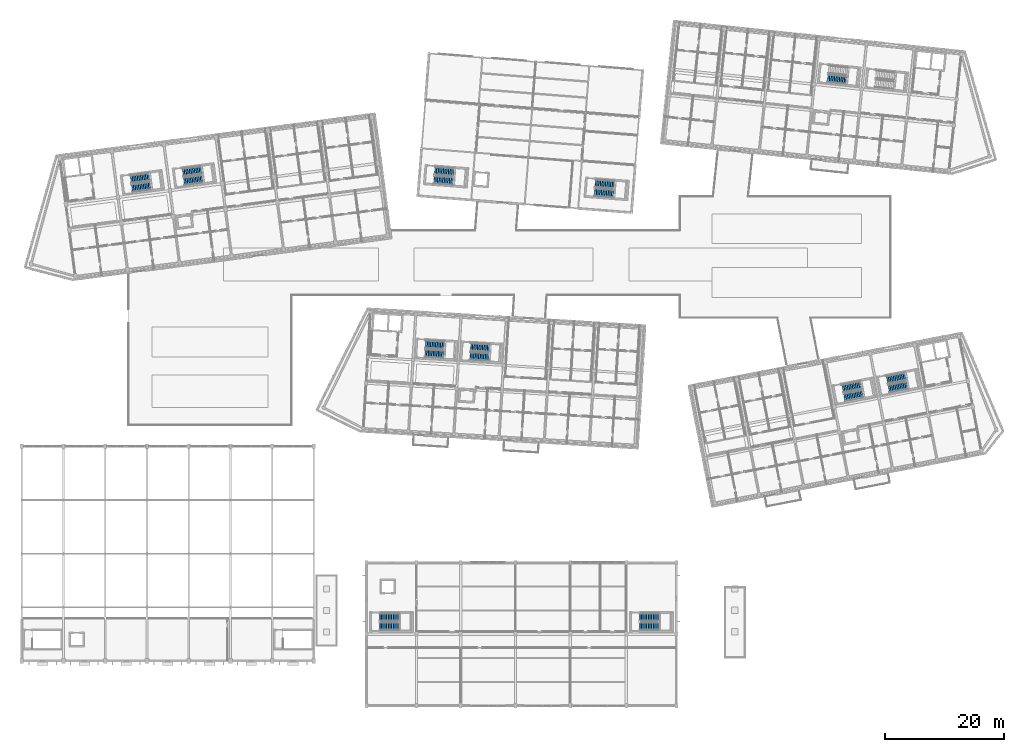
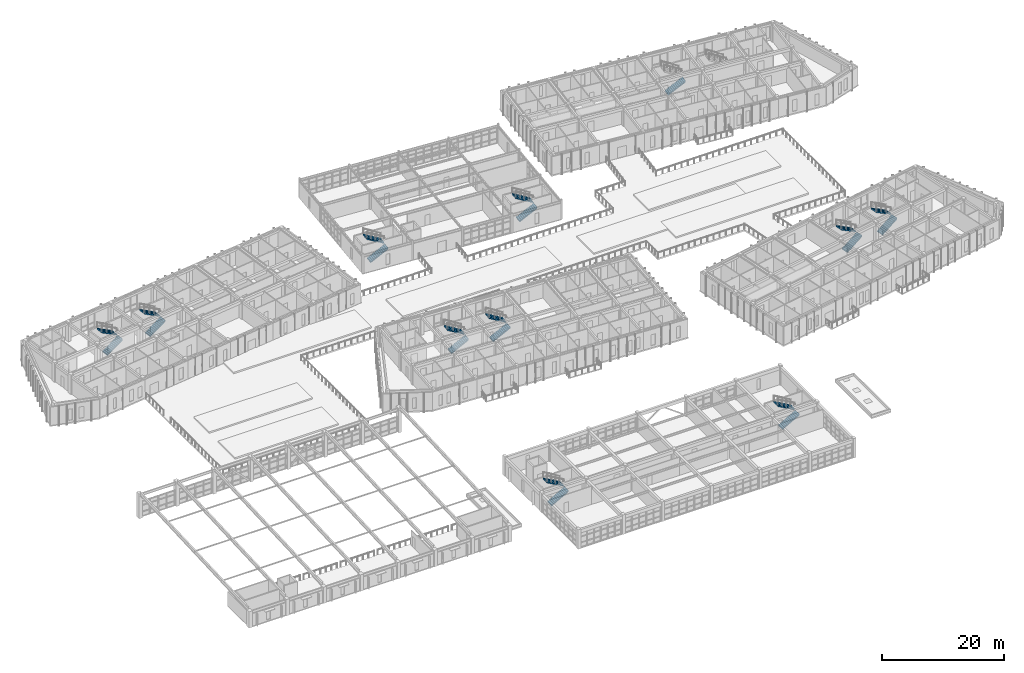
# One storey, part 106 of 150: 21 stair flights, 11 elements without a shape of their own.
"""IFC4 building model written with IfcOpenShell, lengths in metres."""

from ifc_helpers import new_model, si_unit, direction, frame, origin, place, context, subcontext, project, spatial, polyline, outline, extrude, material, type_object, element, aggregate, save


model = new_model("IFC4")

# Units and contexts
model_context = context("Model", 3, precision=1e-05, world=origin(), true_north=direction((0.0, 1.0)))
body_context = subcontext(model_context, "Body", "Model", "MODEL_VIEW")
ifc_project = project(units=[si_unit("LENGTHUNIT", "METRE"), si_unit("AREAUNIT", "SQUARE_METRE"), si_unit("VOLUMEUNIT", "CUBIC_METRE"), si_unit("PLANEANGLEUNIT", "RADIAN"), si_unit("MASSUNIT", "GRAM", prefix="KILO")], contexts=[model_context])

# Site, building, storey
site_placement = place(None, origin())
site = spatial("IfcSite", under=ifc_project, at=site_placement, CompositionType="ELEMENT")
building_placement = place(site_placement, origin())
building = spatial("IfcBuilding", under=site, at=building_placement, Name="Kestramere Prow Commons", CompositionType="ELEMENT")
storey_placement = place(building_placement, frame((0.0, 0.0, 4.5)))
storey = spatial("IfcBuildingStorey", under=building, at=storey_placement, Name="L01", CompositionType="ELEMENT", Elevation=4.5)

# Stair, stair flights
ifc_material = material(Name="Concrete C40/50", Category="concrete")
stair_type = type_object("IfcStairType", Name="ST-DOG-1350", PredefinedType="HALF_TURN_STAIR", material=ifc_material)
stair_1_placement = place(storey_placement, origin())
stair_1 = element("IfcStair", 1, at=stair_1_placement, inside=storey, type_object=stair_type, Name="L01 Block A Exit Stair 1", PredefinedType="HALF_TURN_STAIR")
stair_flight_type = type_object("IfcStairFlightType", Name="SFL-1350", PredefinedType="STRAIGHT", material=ifc_material)
stair_flight_1_placement = place(storey_placement, frame((20.70068359375, 86.79150390625, 0.0), z_axis=(0.0, 0.0, 1.0), x_axis=(0.991444861374, 0.13052619222, 0.0)))
stair_flight_1 = element("IfcStairFlight", 2, at=stair_flight_1_placement, type_object=stair_flight_type, Name="ST-A1 flight 1", NumberOfRisers=12, NumberOfTreads=11, PredefinedType="STRAIGHT", RiserHeight=0.1625, TreadLength=0.28, context=body_context, shape_type="SweptSolid", body=[
    extrude(outline(polyline([(-0.02490234375, 0.0), (0.0, 0.0), (0.0, 0.16259765625), (0.280029296875, 0.16259765625), (0.280029296875, 0.324951171875), (0.56005859375, 0.324951171875), (0.56005859375, 0.487548828125), (0.840087890625, 0.487548828125), (0.840087890625, 0.64990234375), (1.1201171875, 0.64990234375), (1.1201171875, 0.8125), (1.39990234375, 0.8125), (1.39990234375, 0.97509765625), (1.679931640625, 0.97509765625), (1.679931640625, 1.137451171875), (1.9599609375, 1.137451171875), (1.9599609375, 1.300048828125), (2.239990234375, 1.300048828125), (2.239990234375, 1.46240234375), (2.52001953125, 1.46240234375), (2.52001953125, 1.625), (2.800048828125, 1.625), (2.800048828125, 1.78759765625), (3.080078125, 1.78759765625), (3.080078125, 1.949951171875), (3.10498046875, 1.949951171875), (3.10498046875, 1.6142578125), (0.0, -0.14990234375), (-0.02490234375, -0.14990234375), (-0.02490234375, 0.0)])), frame((0.0, 0.675048828125, 0.0), z_axis=(0.0, -1.0, 0.0), x_axis=(1.0, 0.0, 0.0)), (0.0, 0.0, 1.0), 1.35009765625),
])
stair_flight_2_placement = place(storey_placement, frame((23.558349609375, 88.680908203125, 1.949951171875), z_axis=(0.0, 0.0, 1.0), x_axis=(-0.991444861374, -0.13052619222, 0.0)))
stair_flight_2 = element("IfcStairFlight", 3, at=stair_flight_2_placement, type_object=stair_flight_type, Name="ST-A1 flight 2", NumberOfRisers=12, NumberOfTreads=11, PredefinedType="STRAIGHT", RiserHeight=0.1625, TreadLength=0.28, context=body_context, shape_type="SweptSolid", body=[
    extrude(outline(polyline([(-0.02490234375, 0.0), (0.0, 0.0), (0.0, 0.16259765625), (0.280029296875, 0.16259765625), (0.280029296875, 0.324951171875), (0.56005859375, 0.324951171875), (0.56005859375, 0.487548828125), (0.840087890625, 0.487548828125), (0.840087890625, 0.64990234375), (1.1201171875, 0.64990234375), (1.1201171875, 0.8125), (1.39990234375, 0.8125), (1.39990234375, 0.97509765625), (1.679931640625, 0.97509765625), (1.679931640625, 1.137451171875), (1.9599609375, 1.137451171875), (1.9599609375, 1.300048828125), (2.239990234375, 1.300048828125), (2.239990234375, 1.46240234375), (2.52001953125, 1.46240234375), (2.52001953125, 1.625), (2.800048828125, 1.625), (2.800048828125, 1.78759765625), (3.080078125, 1.78759765625), (3.080078125, 1.949951171875), (3.10498046875, 1.949951171875), (3.10498046875, 1.6142578125), (0.0, -0.14990234375), (-0.02490234375, -0.14990234375), (-0.02490234375, 0.0)])), frame((0.0, 0.675048828125, 0.0), z_axis=(0.0, -1.0, 0.0), x_axis=(1.0, 0.0, 0.0)), (0.0, 0.0, 1.0), 1.35009765625),
])
aggregate(stair_1, [stair_flight_1, stair_flight_2])

stair_2_placement = place(storey_placement, origin())
stair_2 = element("IfcStair", 4, at=stair_2_placement, inside=storey, type_object=stair_type, Name="L01 Block A Exit Stair 2", PredefinedType="HALF_TURN_STAIR")
stair_flight_3_placement = place(storey_placement, frame((29.42529296875, 87.940185546875, 0.0), z_axis=(0.0, 0.0, 1.0), x_axis=(0.991444861374, 0.13052619222, 0.0)))
stair_flight_3 = element("IfcStairFlight", 5, at=stair_flight_3_placement, type_object=stair_flight_type, Name="ST-A2 flight 1", NumberOfRisers=12, NumberOfTreads=11, PredefinedType="STRAIGHT", RiserHeight=0.1625, TreadLength=0.28, context=body_context, shape_type="SweptSolid", body=[
    extrude(outline(polyline([(-0.02490234375, 0.0), (0.0, 0.0), (0.0, 0.16259765625), (0.280029296875, 0.16259765625), (0.280029296875, 0.324951171875), (0.56005859375, 0.324951171875), (0.56005859375, 0.487548828125), (0.840087890625, 0.487548828125), (0.840087890625, 0.64990234375), (1.1201171875, 0.64990234375), (1.1201171875, 0.8125), (1.39990234375, 0.8125), (1.39990234375, 0.97509765625), (1.679931640625, 0.97509765625), (1.679931640625, 1.137451171875), (1.9599609375, 1.137451171875), (1.9599609375, 1.300048828125), (2.239990234375, 1.300048828125), (2.239990234375, 1.46240234375), (2.52001953125, 1.46240234375), (2.52001953125, 1.625), (2.800048828125, 1.625), (2.800048828125, 1.78759765625), (3.080078125, 1.78759765625), (3.080078125, 1.949951171875), (3.10498046875, 1.949951171875), (3.10498046875, 1.6142578125), (0.0, -0.14990234375), (-0.02490234375, -0.14990234375), (-0.02490234375, 0.0)])), frame((0.0, 0.675048828125, 0.0), z_axis=(0.0, -1.0, 0.0), x_axis=(1.0, 0.0, 0.0)), (0.0, 0.0, 1.0), 1.35009765625),
])
stair_flight_4_placement = place(storey_placement, frame((32.283203125, 89.829345703125, 1.949951171875), z_axis=(0.0, 0.0, 1.0), x_axis=(-0.991444861374, -0.13052619222, 0.0)))
stair_flight_4 = element("IfcStairFlight", 6, at=stair_flight_4_placement, type_object=stair_flight_type, Name="ST-A2 flight 2", NumberOfRisers=12, NumberOfTreads=11, PredefinedType="STRAIGHT", RiserHeight=0.1625, TreadLength=0.28, context=body_context, shape_type="SweptSolid", body=[
    extrude(outline(polyline([(-0.02490234375, 0.0), (0.0, 0.0), (0.0, 0.16259765625), (0.280029296875, 0.16259765625), (0.280029296875, 0.324951171875), (0.56005859375, 0.324951171875), (0.56005859375, 0.487548828125), (0.840087890625, 0.487548828125), (0.840087890625, 0.64990234375), (1.1201171875, 0.64990234375), (1.1201171875, 0.8125), (1.39990234375, 0.8125), (1.39990234375, 0.97509765625), (1.679931640625, 0.97509765625), (1.679931640625, 1.137451171875), (1.9599609375, 1.137451171875), (1.9599609375, 1.300048828125), (2.239990234375, 1.300048828125), (2.239990234375, 1.46240234375), (2.52001953125, 1.46240234375), (2.52001953125, 1.625), (2.800048828125, 1.625), (2.800048828125, 1.78759765625), (3.080078125, 1.78759765625), (3.080078125, 1.949951171875), (3.10498046875, 1.949951171875), (3.10498046875, 1.6142578125), (0.0, -0.14990234375), (-0.02490234375, -0.14990234375), (-0.02490234375, 0.0)])), frame((0.0, 0.675048828125, 0.0), z_axis=(0.0, -1.0, 0.0), x_axis=(1.0, 0.0, 0.0)), (0.0, 0.0, 1.0), 1.35009765625),
])
aggregate(stair_2, [stair_flight_3, stair_flight_4])

# Stair, stair flight
stair_3_placement = place(storey_placement, origin())
stair_3 = element("IfcStair", 7, at=stair_3_placement, inside=storey, type_object=stair_type, Name="L01 Block B Exit Stair 1", PredefinedType="HALF_TURN_STAIR")
stair_flight_5_placement = place(storey_placement, frame((137.38916015625, 105.21923828125, 0.0), z_axis=(0.0, 0.0, 1.0), x_axis=(0.994521895368, -0.104528463268, 0.0)))
stair_flight_5 = element("IfcStairFlight", 8, at=stair_flight_5_placement, type_object=stair_flight_type, Name="ST-B1 flight 1", NumberOfRisers=12, NumberOfTreads=11, PredefinedType="STRAIGHT", RiserHeight=0.1625, TreadLength=0.28, context=body_context, shape_type="SweptSolid", body=[
    extrude(outline(polyline([(-0.02490234375, 0.0), (0.0, 0.0), (0.0, 0.16259765625), (0.280029296875, 0.16259765625), (0.280029296875, 0.324951171875), (0.56005859375, 0.324951171875), (0.56005859375, 0.487548828125), (0.840087890625, 0.487548828125), (0.840087890625, 0.64990234375), (1.1201171875, 0.64990234375), (1.1201171875, 0.8125), (1.39990234375, 0.8125), (1.39990234375, 0.97509765625), (1.679931640625, 0.97509765625), (1.679931640625, 1.137451171875), (1.9599609375, 1.137451171875), (1.9599609375, 1.300048828125), (2.239990234375, 1.300048828125), (2.239990234375, 1.46240234375), (2.52001953125, 1.46240234375), (2.52001953125, 1.625), (2.800048828125, 1.625), (2.800048828125, 1.78759765625), (3.080078125, 1.78759765625), (3.080078125, 1.949951171875), (3.10498046875, 1.949951171875), (3.10498046875, 1.6142578125), (0.0, -0.14990234375), (-0.02490234375, -0.14990234375), (-0.02490234375, 0.0)])), frame((0.0, 0.675048828125, 0.0), z_axis=(0.0, -1.0, 0.0), x_axis=(1.0, 0.0, 0.0)), (0.0, 0.0, 1.0), 1.35009765625),
])
aggregate(stair_3, [stair_flight_5])

# Stair, stair flights
stair_4_placement = place(storey_placement, origin())
stair_4 = element("IfcStair", 9, at=stair_4_placement, inside=storey, type_object=stair_type, Name="L01 Block C Exit Stair 1", PredefinedType="HALF_TURN_STAIR")
stair_flight_6_placement = place(storey_placement, frame((69.839599609375, 59.117431640625, 0.0), z_axis=(0.0, 0.0, 1.0), x_axis=(0.998134798422, -0.061048539535, 0.0)))
stair_flight_6 = element("IfcStairFlight", 10, at=stair_flight_6_placement, type_object=stair_flight_type, Name="ST-C1 flight 1", NumberOfRisers=12, NumberOfTreads=11, PredefinedType="STRAIGHT", RiserHeight=0.1625, TreadLength=0.28, context=body_context, shape_type="SweptSolid", body=[
    extrude(outline(polyline([(-0.02490234375, 0.0), (0.0, 0.0), (0.0, 0.16259765625), (0.280029296875, 0.16259765625), (0.280029296875, 0.324951171875), (0.56005859375, 0.324951171875), (0.56005859375, 0.487548828125), (0.840087890625, 0.487548828125), (0.840087890625, 0.64990234375), (1.1201171875, 0.64990234375), (1.1201171875, 0.8125), (1.39990234375, 0.8125), (1.39990234375, 0.97509765625), (1.679931640625, 0.97509765625), (1.679931640625, 1.137451171875), (1.9599609375, 1.137451171875), (1.9599609375, 1.300048828125), (2.239990234375, 1.300048828125), (2.239990234375, 1.46240234375), (2.52001953125, 1.46240234375), (2.52001953125, 1.625), (2.800048828125, 1.625), (2.800048828125, 1.78759765625), (3.080078125, 1.78759765625), (3.080078125, 1.949951171875), (3.10498046875, 1.949951171875), (3.10498046875, 1.6142578125), (0.0, -0.14990234375), (-0.02490234375, -0.14990234375), (-0.02490234375, 0.0)])), frame((0.0, 0.675048828125, 0.0), z_axis=(0.0, -1.0, 0.0), x_axis=(1.0, 0.0, 0.0)), (0.0, 0.0, 1.0), 1.35009765625),
])
stair_flight_7_placement = place(storey_placement, frame((73.00537109375, 60.426513671875, 1.949951171875), z_axis=(0.0, 0.0, 1.0), x_axis=(-0.998134798422, 0.061048539535, 0.0)))
stair_flight_7 = element("IfcStairFlight", 11, at=stair_flight_7_placement, type_object=stair_flight_type, Name="ST-C1 flight 2", NumberOfRisers=12, NumberOfTreads=11, PredefinedType="STRAIGHT", RiserHeight=0.1625, TreadLength=0.28, context=body_context, shape_type="SweptSolid", body=[
    extrude(outline(polyline([(-0.02490234375, 0.0), (0.0, 0.0), (0.0, 0.16259765625), (0.280029296875, 0.16259765625), (0.280029296875, 0.324951171875), (0.56005859375, 0.324951171875), (0.56005859375, 0.487548828125), (0.840087890625, 0.487548828125), (0.840087890625, 0.64990234375), (1.1201171875, 0.64990234375), (1.1201171875, 0.8125), (1.39990234375, 0.8125), (1.39990234375, 0.97509765625), (1.679931640625, 0.97509765625), (1.679931640625, 1.137451171875), (1.9599609375, 1.137451171875), (1.9599609375, 1.300048828125), (2.239990234375, 1.300048828125), (2.239990234375, 1.46240234375), (2.52001953125, 1.46240234375), (2.52001953125, 1.625), (2.800048828125, 1.625), (2.800048828125, 1.78759765625), (3.080078125, 1.78759765625), (3.080078125, 1.949951171875), (3.10498046875, 1.949951171875), (3.10498046875, 1.6142578125), (0.0, -0.14990234375), (-0.02490234375, -0.14990234375), (-0.02490234375, 0.0)])), frame((0.0, 0.675048828125, 0.0), z_axis=(0.0, -1.0, 0.0), x_axis=(1.0, 0.0, 0.0)), (0.0, 0.0, 1.0), 1.35009765625),
])
aggregate(stair_4, [stair_flight_6, stair_flight_7])

stair_5_placement = place(storey_placement, origin())
stair_5 = element("IfcStair", 12, at=stair_5_placement, inside=storey, type_object=stair_type, Name="L01 Block C Exit Stair 2", PredefinedType="HALF_TURN_STAIR")
stair_flight_8_placement = place(storey_placement, frame((77.42529296875, 58.6533203125, 0.0), z_axis=(0.0, 0.0, 1.0), x_axis=(0.998134798422, -0.061048539535, 0.0)))
stair_flight_8 = element("IfcStairFlight", 13, at=stair_flight_8_placement, type_object=stair_flight_type, Name="ST-C2 flight 1", NumberOfRisers=12, NumberOfTreads=11, PredefinedType="STRAIGHT", RiserHeight=0.1625, TreadLength=0.28, context=body_context, shape_type="SweptSolid", body=[
    extrude(outline(polyline([(-0.02490234375, 0.0), (0.0, 0.0), (0.0, 0.16259765625), (0.280029296875, 0.16259765625), (0.280029296875, 0.324951171875), (0.56005859375, 0.324951171875), (0.56005859375, 0.487548828125), (0.840087890625, 0.487548828125), (0.840087890625, 0.64990234375), (1.1201171875, 0.64990234375), (1.1201171875, 0.8125), (1.39990234375, 0.8125), (1.39990234375, 0.97509765625), (1.679931640625, 0.97509765625), (1.679931640625, 1.137451171875), (1.9599609375, 1.137451171875), (1.9599609375, 1.300048828125), (2.239990234375, 1.300048828125), (2.239990234375, 1.46240234375), (2.52001953125, 1.46240234375), (2.52001953125, 1.625), (2.800048828125, 1.625), (2.800048828125, 1.78759765625), (3.080078125, 1.78759765625), (3.080078125, 1.949951171875), (3.10498046875, 1.949951171875), (3.10498046875, 1.6142578125), (0.0, -0.14990234375), (-0.02490234375, -0.14990234375), (-0.02490234375, 0.0)])), frame((0.0, 0.675048828125, 0.0), z_axis=(0.0, -1.0, 0.0), x_axis=(1.0, 0.0, 0.0)), (0.0, 0.0, 1.0), 1.35009765625),
])
stair_flight_9_placement = place(storey_placement, frame((80.59130859375, 59.96240234375, 1.949951171875), z_axis=(0.0, 0.0, 1.0), x_axis=(-0.998134798422, 0.061048539535, 0.0)))
stair_flight_9 = element("IfcStairFlight", 14, at=stair_flight_9_placement, type_object=stair_flight_type, Name="ST-C2 flight 2", NumberOfRisers=12, NumberOfTreads=11, PredefinedType="STRAIGHT", RiserHeight=0.1625, TreadLength=0.28, context=body_context, shape_type="SweptSolid", body=[
    extrude(outline(polyline([(-0.02490234375, 0.0), (0.0, 0.0), (0.0, 0.16259765625), (0.280029296875, 0.16259765625), (0.280029296875, 0.324951171875), (0.56005859375, 0.324951171875), (0.56005859375, 0.487548828125), (0.840087890625, 0.487548828125), (0.840087890625, 0.64990234375), (1.1201171875, 0.64990234375), (1.1201171875, 0.8125), (1.39990234375, 0.8125), (1.39990234375, 0.97509765625), (1.679931640625, 0.97509765625), (1.679931640625, 1.137451171875), (1.9599609375, 1.137451171875), (1.9599609375, 1.300048828125), (2.239990234375, 1.300048828125), (2.239990234375, 1.46240234375), (2.52001953125, 1.46240234375), (2.52001953125, 1.625), (2.800048828125, 1.625), (2.800048828125, 1.78759765625), (3.080078125, 1.78759765625), (3.080078125, 1.949951171875), (3.10498046875, 1.949951171875), (3.10498046875, 1.6142578125), (0.0, -0.14990234375), (-0.02490234375, -0.14990234375), (-0.02490234375, 0.0)])), frame((0.0, 0.675048828125, 0.0), z_axis=(0.0, -1.0, 0.0), x_axis=(1.0, 0.0, 0.0)), (0.0, 0.0, 1.0), 1.35009765625),
])
aggregate(stair_5, [stair_flight_8, stair_flight_9])

stair_6_placement = place(storey_placement, origin())
stair_6 = element("IfcStair", 15, at=stair_6_placement, inside=storey, type_object=stair_type, Name="L01 Block D Exit Stair 1", PredefinedType="HALF_TURN_STAIR")
stair_flight_10_placement = place(storey_placement, frame((140.171875, 51.70458984375, 0.0), z_axis=(0.0, 0.0, 1.0), x_axis=(0.981627183448, 0.190808995377, 0.0)))
stair_flight_10 = element("IfcStairFlight", 16, at=stair_flight_10_placement, type_object=stair_flight_type, Name="ST-D1 flight 1", NumberOfRisers=12, NumberOfTreads=11, PredefinedType="STRAIGHT", RiserHeight=0.1625, TreadLength=0.28, context=body_context, shape_type="SweptSolid", body=[
    extrude(outline(polyline([(-0.02490234375, 0.0), (0.0, 0.0), (0.0, 0.16259765625), (0.280029296875, 0.16259765625), (0.280029296875, 0.324951171875), (0.56005859375, 0.324951171875), (0.56005859375, 0.487548828125), (0.840087890625, 0.487548828125), (0.840087890625, 0.64990234375), (1.1201171875, 0.64990234375), (1.1201171875, 0.8125), (1.39990234375, 0.8125), (1.39990234375, 0.97509765625), (1.679931640625, 0.97509765625), (1.679931640625, 1.137451171875), (1.9599609375, 1.137451171875), (1.9599609375, 1.300048828125), (2.239990234375, 1.300048828125), (2.239990234375, 1.46240234375), (2.52001953125, 1.46240234375), (2.52001953125, 1.625), (2.800048828125, 1.625), (2.800048828125, 1.78759765625), (3.080078125, 1.78759765625), (3.080078125, 1.949951171875), (3.10498046875, 1.949951171875), (3.10498046875, 1.6142578125), (0.0, -0.14990234375), (-0.02490234375, -0.14990234375), (-0.02490234375, 0.0)])), frame((0.0, 0.675048828125, 0.0), z_axis=(0.0, -1.0, 0.0), x_axis=(1.0, 0.0, 0.0)), (0.0, 0.0, 1.0), 1.35009765625),
])
stair_flight_11_placement = place(storey_placement, frame((142.908935546875, 53.7646484375, 1.949951171875), z_axis=(0.0, 0.0, 1.0), x_axis=(-0.981627183448, -0.190808995377, 0.0)))
stair_flight_11 = element("IfcStairFlight", 17, at=stair_flight_11_placement, type_object=stair_flight_type, Name="ST-D1 flight 2", NumberOfRisers=12, NumberOfTreads=11, PredefinedType="STRAIGHT", RiserHeight=0.1625, TreadLength=0.28, context=body_context, shape_type="SweptSolid", body=[
    extrude(outline(polyline([(-0.02490234375, 0.0), (0.0, 0.0), (0.0, 0.16259765625), (0.280029296875, 0.16259765625), (0.280029296875, 0.324951171875), (0.56005859375, 0.324951171875), (0.56005859375, 0.487548828125), (0.840087890625, 0.487548828125), (0.840087890625, 0.64990234375), (1.1201171875, 0.64990234375), (1.1201171875, 0.8125), (1.39990234375, 0.8125), (1.39990234375, 0.97509765625), (1.679931640625, 0.97509765625), (1.679931640625, 1.137451171875), (1.9599609375, 1.137451171875), (1.9599609375, 1.300048828125), (2.239990234375, 1.300048828125), (2.239990234375, 1.46240234375), (2.52001953125, 1.46240234375), (2.52001953125, 1.625), (2.800048828125, 1.625), (2.800048828125, 1.78759765625), (3.080078125, 1.78759765625), (3.080078125, 1.949951171875), (3.10498046875, 1.949951171875), (3.10498046875, 1.6142578125), (0.0, -0.14990234375), (-0.02490234375, -0.14990234375), (-0.02490234375, 0.0)])), frame((0.0, 0.675048828125, 0.0), z_axis=(0.0, -1.0, 0.0), x_axis=(1.0, 0.0, 0.0)), (0.0, 0.0, 1.0), 1.35009765625),
])
aggregate(stair_6, [stair_flight_10, stair_flight_11])

stair_7_placement = place(storey_placement, origin())
stair_7 = element("IfcStair", 18, at=stair_7_placement, inside=storey, type_object=stair_type, Name="L01 Block D Exit Stair 2", PredefinedType="HALF_TURN_STAIR")
stair_flight_12_placement = place(storey_placement, frame((147.632080078125, 53.15478515625, 0.0), z_axis=(0.0, 0.0, 1.0), x_axis=(0.981627183448, 0.190808995377, 0.0)))
stair_flight_12 = element("IfcStairFlight", 19, at=stair_flight_12_placement, type_object=stair_flight_type, Name="ST-D2 flight 1", NumberOfRisers=12, NumberOfTreads=11, PredefinedType="STRAIGHT", RiserHeight=0.1625, TreadLength=0.28, context=body_context, shape_type="SweptSolid", body=[
    extrude(outline(polyline([(-0.02490234375, 0.0), (0.0, 0.0), (0.0, 0.16259765625), (0.280029296875, 0.16259765625), (0.280029296875, 0.324951171875), (0.56005859375, 0.324951171875), (0.56005859375, 0.487548828125), (0.840087890625, 0.487548828125), (0.840087890625, 0.64990234375), (1.1201171875, 0.64990234375), (1.1201171875, 0.8125), (1.39990234375, 0.8125), (1.39990234375, 0.97509765625), (1.679931640625, 0.97509765625), (1.679931640625, 1.137451171875), (1.9599609375, 1.137451171875), (1.9599609375, 1.300048828125), (2.239990234375, 1.300048828125), (2.239990234375, 1.46240234375), (2.52001953125, 1.46240234375), (2.52001953125, 1.625), (2.800048828125, 1.625), (2.800048828125, 1.78759765625), (3.080078125, 1.78759765625), (3.080078125, 1.949951171875), (3.10498046875, 1.949951171875), (3.10498046875, 1.6142578125), (0.0, -0.14990234375), (-0.02490234375, -0.14990234375), (-0.02490234375, 0.0)])), frame((0.0, 0.675048828125, 0.0), z_axis=(0.0, -1.0, 0.0), x_axis=(1.0, 0.0, 0.0)), (0.0, 0.0, 1.0), 1.35009765625),
])
stair_flight_13_placement = place(storey_placement, frame((150.369384765625, 55.21484375, 1.949951171875), z_axis=(0.0, 0.0, 1.0), x_axis=(-0.981627183448, -0.190808995377, 0.0)))
stair_flight_13 = element("IfcStairFlight", 20, at=stair_flight_13_placement, type_object=stair_flight_type, Name="ST-D2 flight 2", NumberOfRisers=12, NumberOfTreads=11, PredefinedType="STRAIGHT", RiserHeight=0.1625, TreadLength=0.28, context=body_context, shape_type="SweptSolid", body=[
    extrude(outline(polyline([(-0.02490234375, 0.0), (0.0, 0.0), (0.0, 0.16259765625), (0.280029296875, 0.16259765625), (0.280029296875, 0.324951171875), (0.56005859375, 0.324951171875), (0.56005859375, 0.487548828125), (0.840087890625, 0.487548828125), (0.840087890625, 0.64990234375), (1.1201171875, 0.64990234375), (1.1201171875, 0.8125), (1.39990234375, 0.8125), (1.39990234375, 0.97509765625), (1.679931640625, 0.97509765625), (1.679931640625, 1.137451171875), (1.9599609375, 1.137451171875), (1.9599609375, 1.300048828125), (2.239990234375, 1.300048828125), (2.239990234375, 1.46240234375), (2.52001953125, 1.46240234375), (2.52001953125, 1.625), (2.800048828125, 1.625), (2.800048828125, 1.78759765625), (3.080078125, 1.78759765625), (3.080078125, 1.949951171875), (3.10498046875, 1.949951171875), (3.10498046875, 1.6142578125), (0.0, -0.14990234375), (-0.02490234375, -0.14990234375), (-0.02490234375, 0.0)])), frame((0.0, 0.675048828125, 0.0), z_axis=(0.0, -1.0, 0.0), x_axis=(1.0, 0.0, 0.0)), (0.0, 0.0, 1.0), 1.35009765625),
])
aggregate(stair_7, [stair_flight_12, stair_flight_13])

stair_8_placement = place(storey_placement, origin())
stair_8 = element("IfcStair", 21, at=stair_8_placement, inside=storey, type_object=stair_type, Name="L01 Nursery Pavilion Exit Stair 1", PredefinedType="HALF_TURN_STAIR")
stair_flight_14_placement = place(storey_placement, frame((71.37158203125, 88.2158203125, 0.0), z_axis=(0.0, 0.0, 1.0), x_axis=(0.996917333733, -0.078459095728, 0.0)))
stair_flight_14 = element("IfcStairFlight", 22, at=stair_flight_14_placement, type_object=stair_flight_type, Name="ST-N1 flight 1", NumberOfRisers=12, NumberOfTreads=11, PredefinedType="STRAIGHT", RiserHeight=0.1625, TreadLength=0.285, context=body_context, shape_type="SweptSolid", body=[
    extrude(outline(polyline([(-0.02490234375, 0.0), (0.0, 0.0), (0.0, 0.16259765625), (0.284912109375, 0.16259765625), (0.284912109375, 0.324951171875), (0.570068359375, 0.324951171875), (0.570068359375, 0.487548828125), (0.85498046875, 0.487548828125), (0.85498046875, 0.64990234375), (1.139892578125, 0.64990234375), (1.139892578125, 0.8125), (1.425048828125, 0.8125), (1.425048828125, 0.97509765625), (1.7099609375, 0.97509765625), (1.7099609375, 1.137451171875), (1.9951171875, 1.137451171875), (1.9951171875, 1.300048828125), (2.280029296875, 1.300048828125), (2.280029296875, 1.46240234375), (2.56494140625, 1.46240234375), (2.56494140625, 1.625), (2.85009765625, 1.625), (2.85009765625, 1.78759765625), (3.135009765625, 1.78759765625), (3.135009765625, 1.949951171875), (3.159912109375, 1.949951171875), (3.159912109375, 1.614990234375), (0.0, -0.14990234375), (-0.02490234375, -0.14990234375), (-0.02490234375, 0.0)])), frame((0.0, 0.675048828125, 0.0), z_axis=(0.0, -1.0, 0.0), x_axis=(1.0, 0.0, 0.0)), (0.0, 0.0, 1.0), 1.35009765625),
])
stair_flight_15_placement = place(storey_placement, frame((74.61474609375, 89.46533203125, 1.949951171875), z_axis=(0.0, 0.0, 1.0), x_axis=(-0.996917333733, 0.078459095728, 0.0)))
stair_flight_15 = element("IfcStairFlight", 23, at=stair_flight_15_placement, type_object=stair_flight_type, Name="ST-N1 flight 2", NumberOfRisers=12, NumberOfTreads=11, PredefinedType="STRAIGHT", RiserHeight=0.1625, TreadLength=0.285, context=body_context, shape_type="SweptSolid", body=[
    extrude(outline(polyline([(-0.02490234375, 0.0), (0.0, 0.0), (0.0, 0.16259765625), (0.284912109375, 0.16259765625), (0.284912109375, 0.324951171875), (0.570068359375, 0.324951171875), (0.570068359375, 0.487548828125), (0.85498046875, 0.487548828125), (0.85498046875, 0.64990234375), (1.139892578125, 0.64990234375), (1.139892578125, 0.8125), (1.425048828125, 0.8125), (1.425048828125, 0.97509765625), (1.7099609375, 0.97509765625), (1.7099609375, 1.137451171875), (1.9951171875, 1.137451171875), (1.9951171875, 1.300048828125), (2.280029296875, 1.300048828125), (2.280029296875, 1.46240234375), (2.56494140625, 1.46240234375), (2.56494140625, 1.625), (2.85009765625, 1.625), (2.85009765625, 1.78759765625), (3.135009765625, 1.78759765625), (3.135009765625, 1.949951171875), (3.159912109375, 1.949951171875), (3.159912109375, 1.614990234375), (0.0, -0.14990234375), (-0.02490234375, -0.14990234375), (-0.02490234375, 0.0)])), frame((0.0, 0.675048828125, 0.0), z_axis=(0.0, -1.0, 0.0), x_axis=(1.0, 0.0, 0.0)), (0.0, 0.0, 1.0), 1.35009765625),
])
aggregate(stair_8, [stair_flight_14, stair_flight_15])

stair_9_placement = place(storey_placement, origin())
stair_9 = element("IfcStair", 24, at=stair_9_placement, inside=storey, type_object=stair_type, Name="L01 Nursery Pavilion Exit Stair 2", PredefinedType="HALF_TURN_STAIR")
stair_flight_16_placement = place(storey_placement, frame((98.288330078125, 86.097412109375, 0.0), z_axis=(0.0, 0.0, 1.0), x_axis=(0.996917333733, -0.078459095728, 0.0)))
stair_flight_16 = element("IfcStairFlight", 25, at=stair_flight_16_placement, type_object=stair_flight_type, Name="ST-N2 flight 1", NumberOfRisers=12, NumberOfTreads=11, PredefinedType="STRAIGHT", RiserHeight=0.1625, TreadLength=0.285, context=body_context, shape_type="SweptSolid", body=[
    extrude(outline(polyline([(-0.02490234375, 0.0), (0.0, 0.0), (0.0, 0.16259765625), (0.284912109375, 0.16259765625), (0.284912109375, 0.324951171875), (0.570068359375, 0.324951171875), (0.570068359375, 0.487548828125), (0.85498046875, 0.487548828125), (0.85498046875, 0.64990234375), (1.139892578125, 0.64990234375), (1.139892578125, 0.8125), (1.425048828125, 0.8125), (1.425048828125, 0.97509765625), (1.7099609375, 0.97509765625), (1.7099609375, 1.137451171875), (1.9951171875, 1.137451171875), (1.9951171875, 1.300048828125), (2.280029296875, 1.300048828125), (2.280029296875, 1.46240234375), (2.56494140625, 1.46240234375), (2.56494140625, 1.625), (2.85009765625, 1.625), (2.85009765625, 1.78759765625), (3.135009765625, 1.78759765625), (3.135009765625, 1.949951171875), (3.159912109375, 1.949951171875), (3.159912109375, 1.614990234375), (0.0, -0.14990234375), (-0.02490234375, -0.14990234375), (-0.02490234375, 0.0)])), frame((0.0, 0.675048828125, 0.0), z_axis=(0.0, -1.0, 0.0), x_axis=(1.0, 0.0, 0.0)), (0.0, 0.0, 1.0), 1.35009765625),
])
stair_flight_17_placement = place(storey_placement, frame((101.531494140625, 87.346923828125, 1.949951171875), z_axis=(0.0, 0.0, 1.0), x_axis=(-0.996917333733, 0.078459095728, 0.0)))
stair_flight_17 = element("IfcStairFlight", 26, at=stair_flight_17_placement, type_object=stair_flight_type, Name="ST-N2 flight 2", NumberOfRisers=12, NumberOfTreads=11, PredefinedType="STRAIGHT", RiserHeight=0.1625, TreadLength=0.285, context=body_context, shape_type="SweptSolid", body=[
    extrude(outline(polyline([(-0.02490234375, 0.0), (0.0, 0.0), (0.0, 0.16259765625), (0.284912109375, 0.16259765625), (0.284912109375, 0.324951171875), (0.570068359375, 0.324951171875), (0.570068359375, 0.487548828125), (0.85498046875, 0.487548828125), (0.85498046875, 0.64990234375), (1.139892578125, 0.64990234375), (1.139892578125, 0.8125), (1.425048828125, 0.8125), (1.425048828125, 0.97509765625), (1.7099609375, 0.97509765625), (1.7099609375, 1.137451171875), (1.9951171875, 1.137451171875), (1.9951171875, 1.300048828125), (2.280029296875, 1.300048828125), (2.280029296875, 1.46240234375), (2.56494140625, 1.46240234375), (2.56494140625, 1.625), (2.85009765625, 1.625), (2.85009765625, 1.78759765625), (3.135009765625, 1.78759765625), (3.135009765625, 1.949951171875), (3.159912109375, 1.949951171875), (3.159912109375, 1.614990234375), (0.0, -0.14990234375), (-0.02490234375, -0.14990234375), (-0.02490234375, 0.0)])), frame((0.0, 0.675048828125, 0.0), z_axis=(0.0, -1.0, 0.0), x_axis=(1.0, 0.0, 0.0)), (0.0, 0.0, 1.0), 1.35009765625),
])
aggregate(stair_9, [stair_flight_16, stair_flight_17])

stair_10_placement = place(storey_placement, origin())
stair_10 = element("IfcStair", 27, at=stair_10_placement, inside=storey, type_object=stair_type, Name="L01 Market and Car Park Exit Stair 1", PredefinedType="HALF_TURN_STAIR")
stair_flight_18_placement = place(storey_placement, frame((62.25, 13.324951171875, 0.0), z_axis=(0.0, 0.0, 1.0), x_axis=(1.0, 0.0, 0.0)))
stair_flight_18 = element("IfcStairFlight", 28, at=stair_flight_18_placement, type_object=stair_flight_type, Name="ST-M1 flight 1", NumberOfRisers=12, NumberOfTreads=11, PredefinedType="STRAIGHT", RiserHeight=0.1625, TreadLength=0.285, context=body_context, shape_type="SweptSolid", body=[
    extrude(outline(polyline([(-0.02490234375, 0.0), (0.0, 0.0), (0.0, 0.16259765625), (0.284912109375, 0.16259765625), (0.284912109375, 0.324951171875), (0.570068359375, 0.324951171875), (0.570068359375, 0.487548828125), (0.85498046875, 0.487548828125), (0.85498046875, 0.64990234375), (1.139892578125, 0.64990234375), (1.139892578125, 0.8125), (1.425048828125, 0.8125), (1.425048828125, 0.97509765625), (1.7099609375, 0.97509765625), (1.7099609375, 1.137451171875), (1.9951171875, 1.137451171875), (1.9951171875, 1.300048828125), (2.280029296875, 1.300048828125), (2.280029296875, 1.46240234375), (2.56494140625, 1.46240234375), (2.56494140625, 1.625), (2.85009765625, 1.625), (2.85009765625, 1.78759765625), (3.135009765625, 1.78759765625), (3.135009765625, 1.949951171875), (3.159912109375, 1.949951171875), (3.159912109375, 1.614990234375), (0.0, -0.14990234375), (-0.02490234375, -0.14990234375), (-0.02490234375, 0.0)])), frame((0.0, 0.675048828125, 0.0), z_axis=(0.0, -1.0, 0.0), x_axis=(1.0, 0.0, 0.0)), (0.0, 0.0, 1.0), 1.35009765625),
])
stair_flight_19_placement = place(storey_placement, frame((65.385009765625, 14.824951171875, 1.949951171875), z_axis=(0.0, 0.0, 1.0), x_axis=(-1.0, 0.0, 0.0)))
stair_flight_19 = element("IfcStairFlight", 29, at=stair_flight_19_placement, type_object=stair_flight_type, Name="ST-M1 flight 2", NumberOfRisers=12, NumberOfTreads=11, PredefinedType="STRAIGHT", RiserHeight=0.1625, TreadLength=0.285, context=body_context, shape_type="SweptSolid", body=[
    extrude(outline(polyline([(-0.02490234375, 0.0), (0.0, 0.0), (0.0, 0.16259765625), (0.284912109375, 0.16259765625), (0.284912109375, 0.324951171875), (0.570068359375, 0.324951171875), (0.570068359375, 0.487548828125), (0.85498046875, 0.487548828125), (0.85498046875, 0.64990234375), (1.139892578125, 0.64990234375), (1.139892578125, 0.8125), (1.425048828125, 0.8125), (1.425048828125, 0.97509765625), (1.7099609375, 0.97509765625), (1.7099609375, 1.137451171875), (1.9951171875, 1.137451171875), (1.9951171875, 1.300048828125), (2.280029296875, 1.300048828125), (2.280029296875, 1.46240234375), (2.56494140625, 1.46240234375), (2.56494140625, 1.625), (2.85009765625, 1.625), (2.85009765625, 1.78759765625), (3.135009765625, 1.78759765625), (3.135009765625, 1.949951171875), (3.159912109375, 1.949951171875), (3.159912109375, 1.614990234375), (0.0, -0.14990234375), (-0.02490234375, -0.14990234375), (-0.02490234375, 0.0)])), frame((0.0, 0.675048828125, 0.0), z_axis=(0.0, -1.0, 0.0), x_axis=(1.0, 0.0, 0.0)), (0.0, 0.0, 1.0), 1.35009765625),
])
aggregate(stair_10, [stair_flight_18, stair_flight_19])

stair_11_placement = place(storey_placement, origin())
stair_11 = element("IfcStair", 30, at=stair_11_placement, inside=storey, type_object=stair_type, Name="L01 Market and Car Park Exit Stair 2", PredefinedType="HALF_TURN_STAIR")
stair_flight_20_placement = place(storey_placement, frame((105.85009765625, 13.324951171875, 0.0), z_axis=(0.0, 0.0, 1.0), x_axis=(1.0, 0.0, 0.0)))
stair_flight_20 = element("IfcStairFlight", 31, at=stair_flight_20_placement, type_object=stair_flight_type, Name="ST-M2 flight 1", NumberOfRisers=12, NumberOfTreads=11, PredefinedType="STRAIGHT", RiserHeight=0.1625, TreadLength=0.285, context=body_context, shape_type="SweptSolid", body=[
    extrude(outline(polyline([(-0.02490234375, 0.0), (0.0, 0.0), (0.0, 0.16259765625), (0.284912109375, 0.16259765625), (0.284912109375, 0.324951171875), (0.570068359375, 0.324951171875), (0.570068359375, 0.487548828125), (0.85498046875, 0.487548828125), (0.85498046875, 0.64990234375), (1.139892578125, 0.64990234375), (1.139892578125, 0.8125), (1.425048828125, 0.8125), (1.425048828125, 0.97509765625), (1.7099609375, 0.97509765625), (1.7099609375, 1.137451171875), (1.9951171875, 1.137451171875), (1.9951171875, 1.300048828125), (2.280029296875, 1.300048828125), (2.280029296875, 1.46240234375), (2.56494140625, 1.46240234375), (2.56494140625, 1.625), (2.85009765625, 1.625), (2.85009765625, 1.78759765625), (3.135009765625, 1.78759765625), (3.135009765625, 1.949951171875), (3.159912109375, 1.949951171875), (3.159912109375, 1.614990234375), (0.0, -0.14990234375), (-0.02490234375, -0.14990234375), (-0.02490234375, 0.0)])), frame((0.0, 0.675048828125, 0.0), z_axis=(0.0, -1.0, 0.0), x_axis=(1.0, 0.0, 0.0)), (0.0, 0.0, 1.0), 1.35009765625),
])
stair_flight_21_placement = place(storey_placement, frame((108.985107421875, 14.824951171875, 1.949951171875), z_axis=(0.0, 0.0, 1.0), x_axis=(-1.0, 0.0, 0.0)))
stair_flight_21 = element("IfcStairFlight", 32, at=stair_flight_21_placement, type_object=stair_flight_type, Name="ST-M2 flight 2", NumberOfRisers=12, NumberOfTreads=11, PredefinedType="STRAIGHT", RiserHeight=0.1625, TreadLength=0.285, context=body_context, shape_type="SweptSolid", body=[
    extrude(outline(polyline([(-0.02490234375, 0.0), (0.0, 0.0), (0.0, 0.16259765625), (0.284912109375, 0.16259765625), (0.284912109375, 0.324951171875), (0.570068359375, 0.324951171875), (0.570068359375, 0.487548828125), (0.85498046875, 0.487548828125), (0.85498046875, 0.64990234375), (1.139892578125, 0.64990234375), (1.139892578125, 0.8125), (1.425048828125, 0.8125), (1.425048828125, 0.97509765625), (1.7099609375, 0.97509765625), (1.7099609375, 1.137451171875), (1.9951171875, 1.137451171875), (1.9951171875, 1.300048828125), (2.280029296875, 1.300048828125), (2.280029296875, 1.46240234375), (2.56494140625, 1.46240234375), (2.56494140625, 1.625), (2.85009765625, 1.625), (2.85009765625, 1.78759765625), (3.135009765625, 1.78759765625), (3.135009765625, 1.949951171875), (3.159912109375, 1.949951171875), (3.159912109375, 1.614990234375), (0.0, -0.14990234375), (-0.02490234375, -0.14990234375), (-0.02490234375, 0.0)])), frame((0.0, 0.675048828125, 0.0), z_axis=(0.0, -1.0, 0.0), x_axis=(1.0, 0.0, 0.0)), (0.0, 0.0, 1.0), 1.35009765625),
])
aggregate(stair_11, [stair_flight_20, stair_flight_21])

save(model, "model.ifc")
